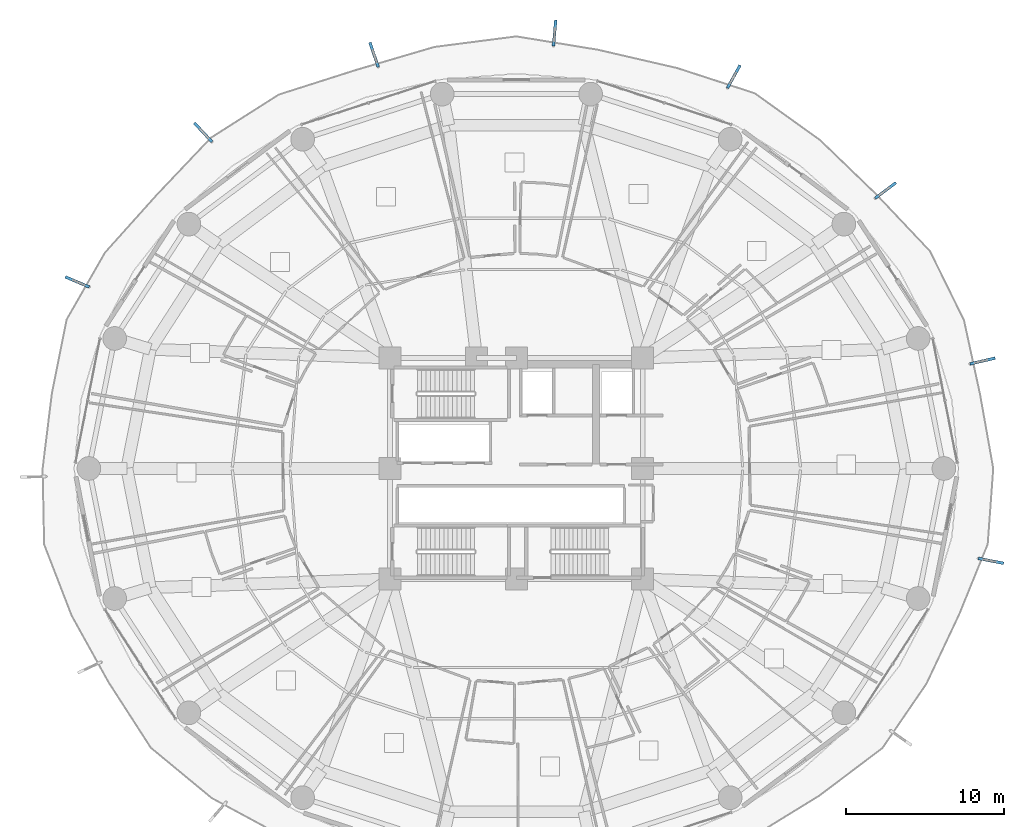
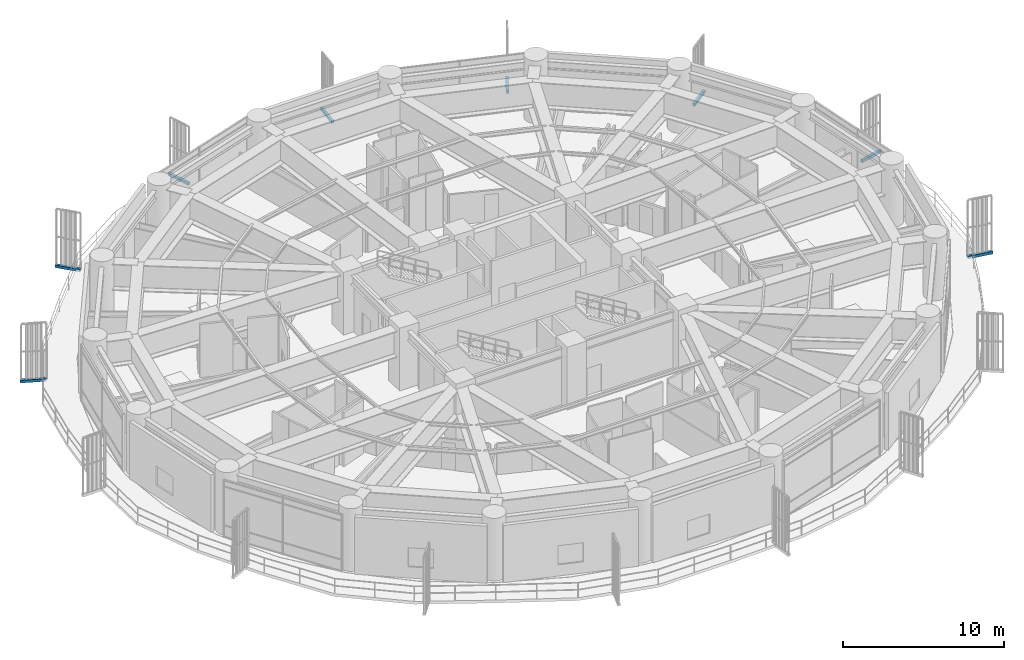
# One storey, part 26 of 31: 8 discrete accessories.
"""IFC4 building model written with IfcOpenShell, lengths in metres."""

from ifc_helpers import new_model, si_unit, direction, frame, origin, origin_2d, place, context, subcontext, project, spatial, rectangle, extrude, source, transform, mapped, material, type_object, element, save


model = new_model("IFC4")

# Units and contexts
model_context = context("Model", 3, precision=1e-05, world=origin(), true_north=direction((0.0, 1.0)))
body_context = subcontext(model_context, "Body", "Model", "MODEL_VIEW")
ifc_project = project(units=[si_unit("LENGTHUNIT", "METRE"), si_unit("AREAUNIT", "SQUARE_METRE"), si_unit("VOLUMEUNIT", "CUBIC_METRE"), si_unit("PLANEANGLEUNIT", "RADIAN"), si_unit("MASSUNIT", "GRAM", prefix="KILO")], contexts=[model_context])

# Site, building, storey
site_placement = place(None, origin())
site = spatial("IfcSite", under=ifc_project, at=site_placement, CompositionType="ELEMENT")
building_placement = place(site_placement, origin())
building = spatial("IfcBuilding", under=site, at=building_placement, Name="Kelanora Arch Commons", CompositionType="ELEMENT")
storey_placement = place(building_placement, frame((0.0, 0.0, 67.5)))
storey = spatial("IfcBuildingStorey", under=building, at=storey_placement, Name="L17", CompositionType="ELEMENT", Elevation=67.5)

# Discrete accessories
ifc_material = material(Name="Stainless steel 316 marine fin bracket", Category="steel")
discrete_accessory_type = type_object("IfcDiscreteAccessoryType", Name="ACC-FIN-BRK", PredefinedType="BRACKET", material=ifc_material)
shared_shape = source(origin(), body_context, "Body", "SweptSolid", [
    extrude(rectangle(XDim=1.639892578125, YDim=0.179931640625, at=origin_2d()), origin(), (0.0, 0.0, 1.0), 0.199951171875),
])
for number, where, z_axis, x_axis, name in (
    (1, (97.383056640625, 75.61083984375, -0.16015625), (0.0, 0.0, 1.0), (0.79884553446, 0.60153621011, 0.0), "Sweeping Fin Cantilever Spine Bracket L17-00"),
    (2, (87.767333984375, 82.82177734375, -0.16015625), (0.0, 0.0, 1.0), (0.485114890576, 0.874450423376, 0.0), "Sweeping Fin Cantilever Spine Bracket L17-01"),
    (3, (76.42041015625, 85.582275390625, -0.16015625), (0.0, 0.0, 1.0), (0.08750347498, 0.996164214307, 0.0), "Sweeping Fin Cantilever Spine Bracket L17-02"),
    (4, (64.984375, 84.205810546875, -0.16015625), (0.0, 0.0, 1.0), (-0.325238086383, 0.945632162717, 0.0), "Sweeping Fin Cantilever Spine Bracket L17-03"),
    (5, (54.1533203125, 79.294189453125, -0.16015625), (0.0, 0.0, 1.0), (-0.681870704375, 0.731472721648, 0.0), "Sweeping Fin Cantilever Spine Bracket L17-04"),
    (6, (46.186279296875, 69.814697265625, -0.16015625), (0.0, 0.0, 1.0), (-0.920436643986, 0.390891780942, 0.0), "Sweeping Fin Cantilever Spine Bracket L17-05"),
    (7, (104.060302734375, 52.148681640625, -0.16015625), (0.0, 0.0, 1.0), (0.981593866045, -0.190980318733, 0.0), "Sweeping Fin Cantilever Spine Bracket L17-13"),
    (8, (103.525390625, 64.808349609375, -0.16015625), (0.0, 0.0, 1.0), (0.97440931131, 0.224780991261, 0.0), "Sweeping Fin Cantilever Spine Bracket L17-14"),
):
    element("IfcDiscreteAccessory", number, at=place(storey_placement, frame(where, z_axis=z_axis, x_axis=x_axis)), inside=storey, type_object=discrete_accessory_type, Name=name, PredefinedType="BRACKET", context=body_context, shape_type="MappedRepresentation", body=[
        mapped(shared_shape, transform((0.0, 0.0, 0.0), scale=1.0)),
    ])

save(model, "model.ifc")
